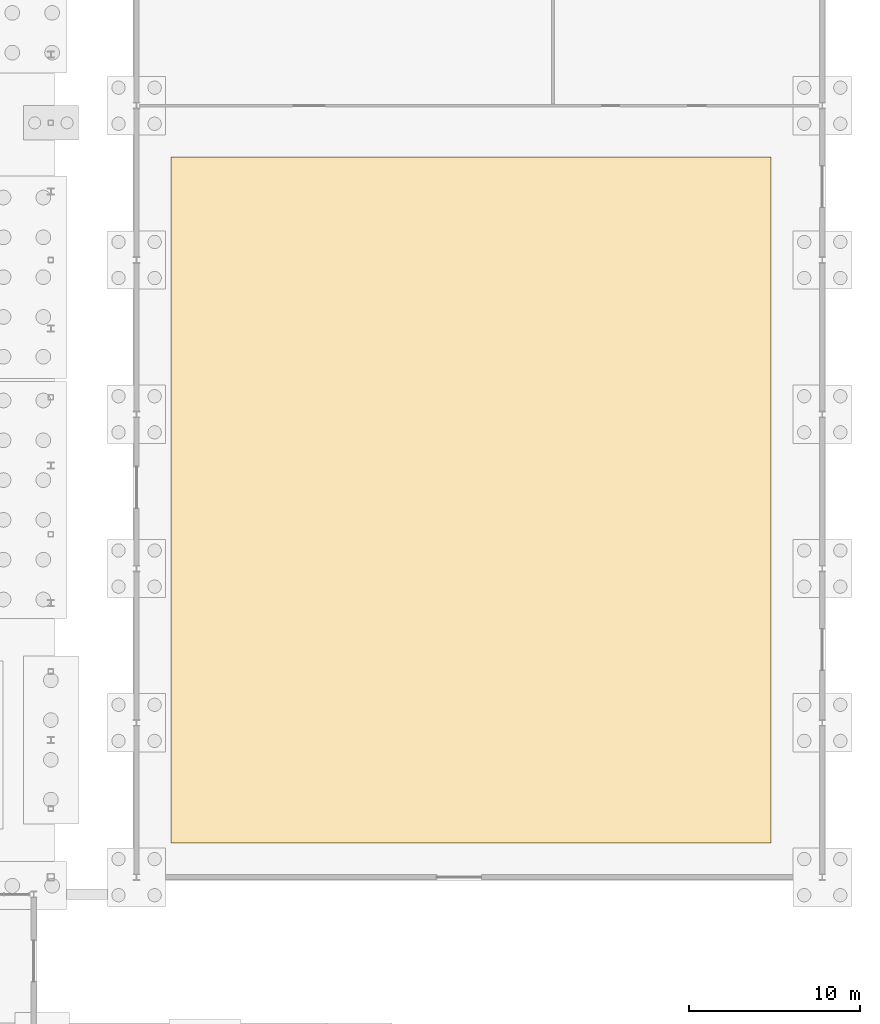
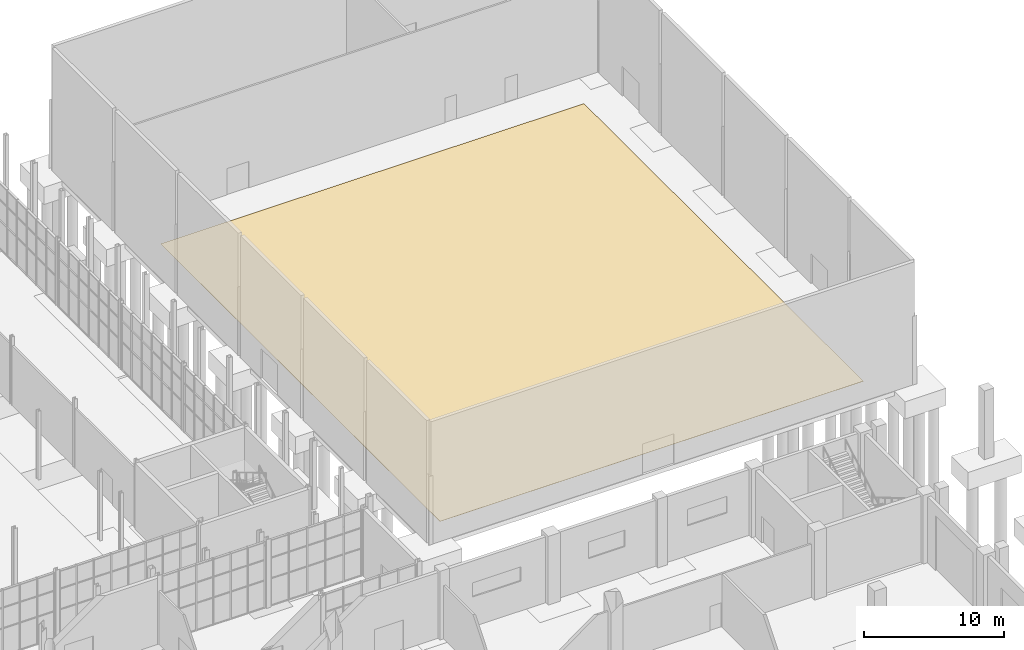
# One storey, part 130 of 131: 1 covering.
"""IFC4 building model written with IfcOpenShell, lengths in metres."""

from ifc_helpers import new_model, si_unit, direction, origin, place, context, subcontext, project, spatial, polyline, outline, extrude, material, layer, layer_set, type_object, element, save


model = new_model("IFC4")

# Units and contexts
model_context = context("Model", 3, precision=1e-05, world=origin(), true_north=direction((0.0, 1.0)))
body_context = subcontext(model_context, "Body", "Model", "MODEL_VIEW")
ifc_project = project(units=[si_unit("LENGTHUNIT", "METRE"), si_unit("AREAUNIT", "SQUARE_METRE"), si_unit("VOLUMEUNIT", "CUBIC_METRE"), si_unit("PLANEANGLEUNIT", "RADIAN"), si_unit("MASSUNIT", "GRAM", prefix="KILO")], contexts=[model_context])

# Site, building, storey
site_placement = place(None, origin())
site = spatial("IfcSite", under=ifc_project, at=site_placement, CompositionType="ELEMENT")
building_placement = place(site_placement, origin())
building = spatial("IfcBuilding", under=site, at=building_placement, Name="Cazmaro Siding Exhibition Halls", CompositionType="ELEMENT")
storey_placement = place(building_placement, origin())
storey = spatial("IfcBuildingStorey", under=building, at=storey_placement, Name="L00", CompositionType="ELEMENT", Elevation=0.0)

# Covering
ifc_material = material(Name="Recycled Rubber Exhibition Hall Acoustic Flooring", Category="concrete")
ifc_layer = layer(ifc_material, 0.02001953125)
ifc_layer_set = layer_set([ifc_layer], Name="Recycled Rubber Exhibition Hall Acoustic Flooring")
covering_type = type_object("IfcCoveringType", Name="COV-FLR-01", PredefinedType="FLOORING", material=ifc_layer_set)
covering_placement = place(storey_placement, origin())
element("IfcCovering", 1, at=covering_placement, inside=storey, type_object=covering_type, Name="Recycled Rubber Exhibition Flooring 003", PredefinedType="FLOORING", context=body_context, shape_type="SweptSolid", body=[
    extrude(outline(polyline([(178.0, 66.0), (213.0, 66.0), (213.0, 106.0), (178.0, 106.0), (178.0, 66.0)])), origin(), (0.0, 0.0, 1.0), 0.02001953125),
])

save(model, "model.ifc")
